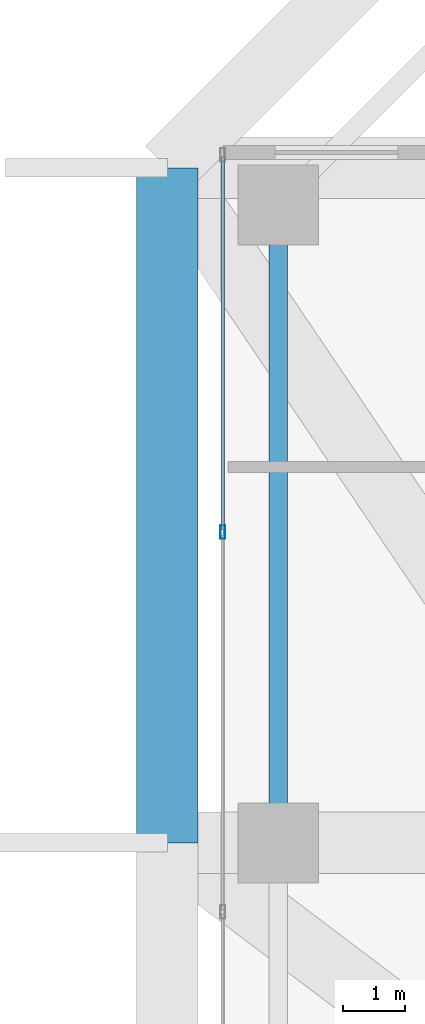
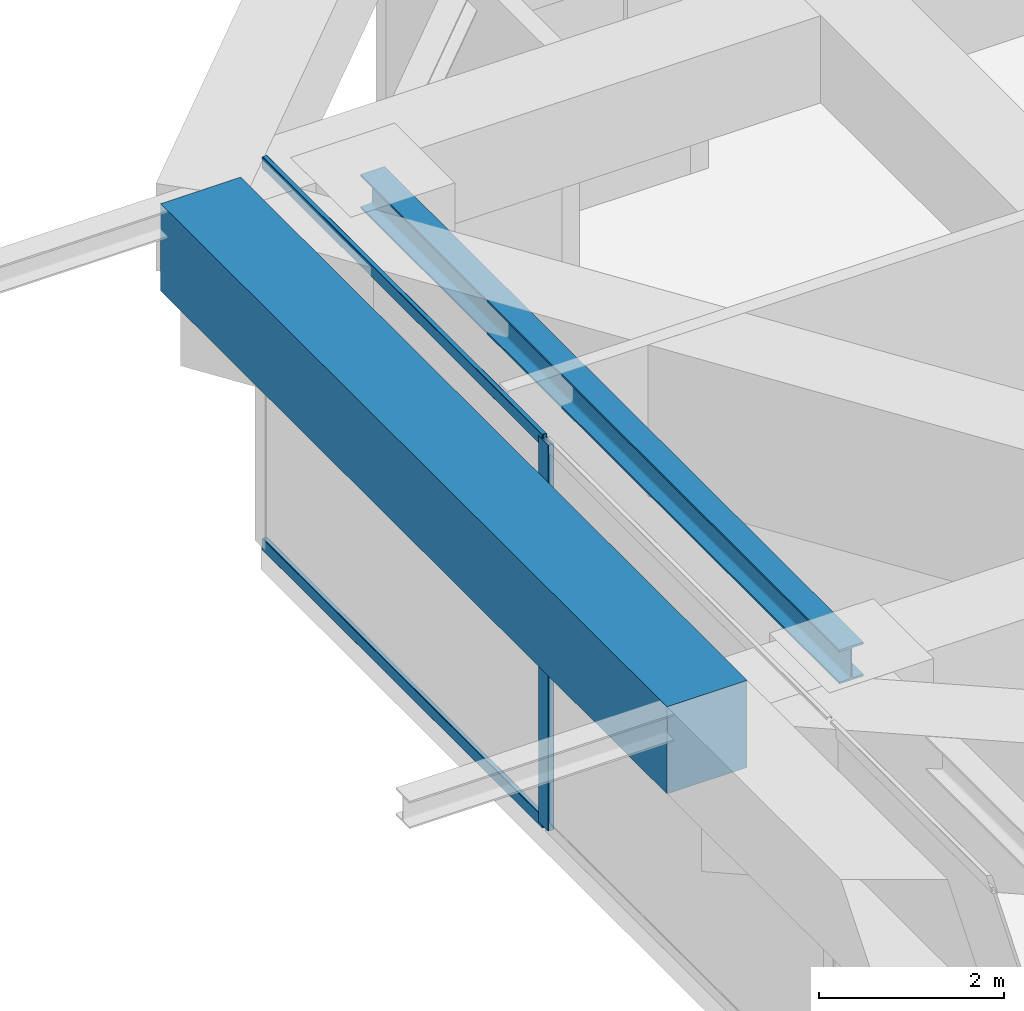
# One storey, part 16 of 38: 3 members, 2 beams, 1 element without a shape of its own.
"""IFC4 building model written with IfcOpenShell, lengths in metres."""

from ifc_helpers import new_model, si_unit, direction, frame, origin, origin_2d, place, context, subcontext, project, spatial, rectangle, hollow_rectangle, i_section, extrude, source, transform, mapped, material, layer, layer_set, material_profile, profile_set, type_object, element, aggregate, save


model = new_model("IFC4")

# Units and contexts
model_context = context("Model", 3, precision=1e-05, world=origin(), true_north=direction((0.0, 1.0)))
body_context = subcontext(model_context, "Body", "Model", "MODEL_VIEW")
ifc_project = project(units=[si_unit("LENGTHUNIT", "METRE"), si_unit("AREAUNIT", "SQUARE_METRE"), si_unit("VOLUMEUNIT", "CUBIC_METRE"), si_unit("PLANEANGLEUNIT", "RADIAN"), si_unit("MASSUNIT", "GRAM", prefix="KILO")], contexts=[model_context])

# Site, building, storey
site_placement = place(None, origin())
site = spatial("IfcSite", under=ifc_project, at=site_placement, CompositionType="ELEMENT")
building_placement = place(site_placement, origin())
building = spatial("IfcBuilding", under=site, at=building_placement, Name="Serunith Strait Residences", CompositionType="ELEMENT")
storey_placement = place(building_placement, frame((0.0, 0.0, 204.89990234375)))
storey = spatial("IfcBuildingStorey", under=building, at=storey_placement, Name="L51", CompositionType="ELEMENT", Elevation=204.89990234375)

# Beams
ifc_material_1 = material(Name="Steel S355J2", Category="steel")
ifc_material_profile_1 = material_profile(ifc_material_1, i_section(OverallWidth=0.300048828125, OverallDepth=0.449951171875, WebThickness=0.013916015625, FlangeThickness=0.02587890625, FilletRadius=0.027099609375, at=origin_2d()), Name="HEB 450")
ifc_profile_set_1 = profile_set([ifc_material_profile_1], Name="Steel S355J2")
beam_type_1 = type_object("IfcBeamType", Name="BM-HEB450", PredefinedType="BEAM", material=ifc_profile_set_1)
shared_shape_1 = source(origin(), body_context, "Body", "SweptSolid", [
    extrude(i_section(OverallWidth=0.300048828125, OverallDepth=0.449951171875, WebThickness=0.013916015625, FlangeThickness=0.02587890625, FilletRadius=0.027099609375, at=origin_2d()), origin(), (0.0, 0.0, 1.0), 10.35009765625),
])
beam_1_placement = place(storey_placement, frame((10.10009765625, 39.75, 4.882080078125), z_axis=(0.0, -1.0, 0.0), x_axis=(1.0, 0.0, 0.0)))
element("IfcBeam", 1, at=beam_1_placement, inside=storey, type_object=beam_type_1, Name="L51 Perimeter Ring Beam 13", PredefinedType="BEAM", context=body_context, shape_type="MappedRepresentation", body=[
    mapped(shared_shape_1, transform((0.0, 0.0, 0.0), scale=1.0)),
])
ifc_material_2 = material(Name="Concrete C80/95", Category="concrete")
ifc_material_profile_2 = material_profile(ifc_material_2, rectangle(XDim=1.0, YDim=1.14990234375, at=origin_2d()), Name="RC 1000x1150")
ifc_profile_set_2 = profile_set([ifc_material_profile_2], Name="Concrete C80/95")
beam_type_2 = type_object("IfcBeamType", Name="BM-XFER-1000x1150", PredefinedType="BEAM", material=ifc_profile_set_2)
shared_shape_2 = source(origin(), body_context, "Body", "SweptSolid", [
    extrude(rectangle(XDim=1.0, YDim=1.14990234375, at=origin_2d()), origin(), (0.0, 0.0, 1.0), 10.9501953125),
])
beam_2_placement = place(storey_placement, frame((8.300048828125, 40.35009765625, 4.53515625), z_axis=(0.0, -1.0, 0.0), x_axis=(1.0, 0.0, 0.0)))
element("IfcBeam", 2, at=beam_2_placement, inside=storey, type_object=beam_type_2, Name="L51 Flare Upper Ring Transfer Girder 13", PredefinedType="BEAM", context=body_context, shape_type="MappedRepresentation", body=[
    mapped(shared_shape_2, transform((0.0, 0.0, 0.0), scale=1.0)),
])

# Curtain wall, members
ifc_material_3 = material(Name="Pale-Silver PVDF Aluminium", Category="aluminium")
ifc_layer = layer(ifc_material_3, 0.199951171875, Name="Pale-Silver PVDF Aluminium")
ifc_layer_set = layer_set([ifc_layer], Name="Pale-Silver PVDF Aluminium")
curtain_wall_type = type_object("IfcCurtainWallType", Name="CW-SYS3", PredefinedType="NOTDEFINED", material=ifc_layer_set)
curtain_wall_placement = place(storey_placement, origin())
curtain_wall = element("IfcCurtainWall", 3, at=curtain_wall_placement, inside=storey, type_object=curtain_wall_type, Name="L51 W Unitised Fritted Curtain Wall", PredefinedType="NOTDEFINED")
ifc_material_profile_3 = material_profile(ifc_material_3, hollow_rectangle(XDim=0.074951171875, YDim=0.219970703125, WallThickness=0.00390625, InnerFilletRadius=0.006103515625, OuterFilletRadius=0.010009765625, at=origin_2d()), Name="ALU 220x75x4")
ifc_profile_set_3 = profile_set([ifc_material_profile_3], Name="Pale-Silver PVDF Aluminium")
member_type_1 = type_object("IfcMemberType", Name="CW-SYS3-MULL", PredefinedType="MULLION", material=ifc_profile_set_3)
shared_shape_3 = source(origin(), body_context, "Body", "SweptSolid", [
    extrude(hollow_rectangle(XDim=0.074951171875, YDim=0.219970703125, WallThickness=0.00390625, InnerFilletRadius=0.006103515625, OuterFilletRadius=0.010009765625, at=origin_2d()), origin(), (0.0, 0.0, 1.0), 5.09521484375),
])
member_1_placement = place(storey_placement, frame((9.199951171875, 34.43994140625, 0.0), z_axis=(0.0, 0.0, 1.0), x_axis=(1.0, 0.0, 0.0)))
member_1 = element("IfcMember", 4, at=member_1_placement, type_object=member_type_1, Name="CW-3 mullion 2", PredefinedType="MULLION", context=body_context, shape_type="MappedRepresentation", body=[
    mapped(shared_shape_3, transform((0.0, 0.0, 0.0), scale=1.0)),
])
ifc_material_profile_4 = material_profile(ifc_material_3, hollow_rectangle(XDim=0.06005859375, YDim=0.159912109375, WallThickness=0.00341796875, InnerFilletRadius=0.00537109375, OuterFilletRadius=0.0087890625, at=origin_2d()), Name="ALU 160x60x3.5")
ifc_profile_set_4 = profile_set([ifc_material_profile_4], Name="Pale-Silver PVDF Aluminium")
member_type_2 = type_object("IfcMemberType", Name="CW-SYS3-TRAN", PredefinedType="USERDEFINED", material=ifc_profile_set_4)
shared_shape_4 = source(origin(), body_context, "Body", "SweptSolid", [
    extrude(hollow_rectangle(XDim=0.06005859375, YDim=0.159912109375, WallThickness=0.00341796875, InnerFilletRadius=0.00537109375, OuterFilletRadius=0.0087890625, at=origin_2d()), origin(), (0.0, 0.0, 1.0), 6.04736328125),
])
member_2_placement = place(storey_placement, frame((9.199951171875, 40.52490234375, 0.030029296875), z_axis=(0.0, -1.0, 0.0), x_axis=(1.0, 0.0, 0.0)))
member_2 = element("IfcMember", 5, at=member_2_placement, type_object=member_type_2, Name="CW-3 transom 1.1", ObjectType="TRANSOM", PredefinedType="USERDEFINED", context=body_context, shape_type="MappedRepresentation", body=[
    mapped(shared_shape_4, transform((0.0, 0.0, 0.0), scale=1.0)),
])
member_3_placement = place(storey_placement, frame((9.199951171875, 40.52490234375, 5.065185546875), z_axis=(0.0, -1.0, 0.0), x_axis=(1.0, 0.0, 0.0)))
member_3 = element("IfcMember", 6, at=member_3_placement, type_object=member_type_2, Name="CW-3 transom 1.2", ObjectType="TRANSOM", PredefinedType="USERDEFINED", context=body_context, shape_type="MappedRepresentation", body=[
    mapped(shared_shape_4, transform((0.0, 0.0, 0.0), scale=1.0)),
])
aggregate(curtain_wall, [member_1, member_2, member_3])

save(model, "model.ifc")
